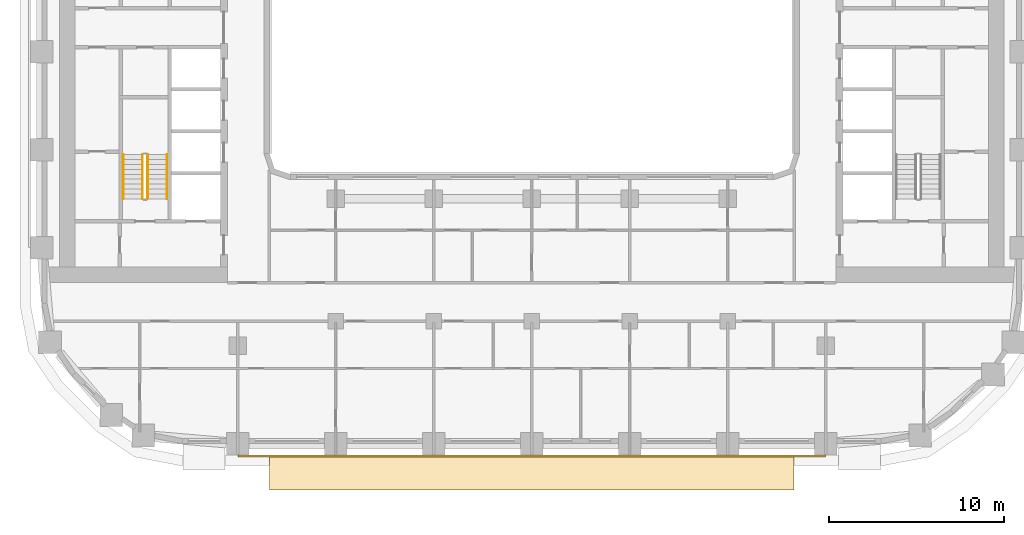
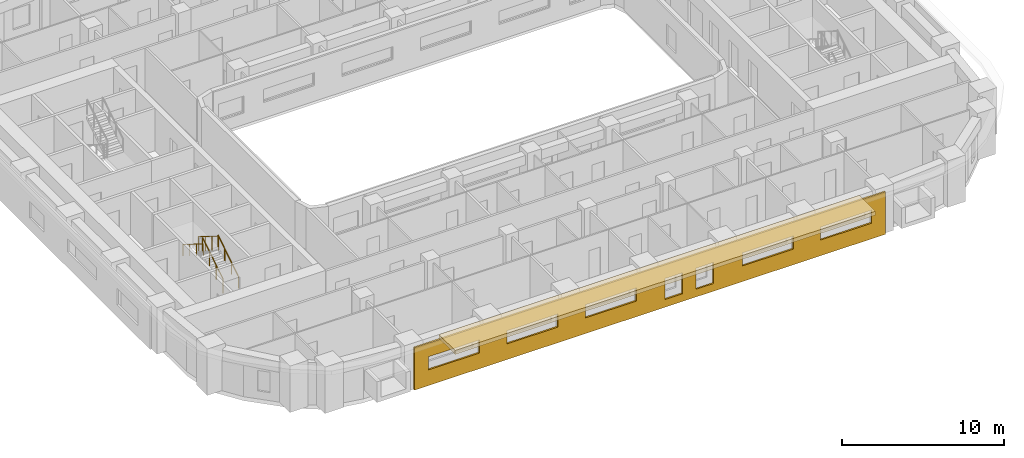
# One storey, part 12 of 22: 4 railings, 2 coverings.
"""IFC4 building model written with IfcOpenShell, lengths in metres."""

import ifcopenshell
import ifcopenshell.guid

model = None  # the IFC model being written
_history = None  # IfcOwnerHistory: only IFC2X3 demands one
_inside = {}  # id of a spatial element -> (the spatial element, [elements in it])
_under = {}  # id of a project, library or spatial element -> (it, [spatial elements below it])
_declared = {}  # id of a project -> (the project, [libraries it declares])
_typed = {}  # id of a type object -> (the type object, [elements of that type])
_made_of = {}  # id of a material, layer set ... -> (it, [elements and type objects made of it])


def new_model(schema):
    """Start an empty IFC model of exactly this schema.

    Asked for "IFC4X3", IfcOpenShell would pick the latest addendum, in which some entities
    have other attributes; the version numbers below select the first issue.
    IFC2X3 requires an IfcOwnerHistory on every rooted entity: one is made here for all.
    """
    global model, _history
    if schema == "IFC4X3":
        model = ifcopenshell.file(schema_version=(4, 3, 0, 0))
    else:
        model = ifcopenshell.file(schema=schema)
    _inside.clear()
    _under.clear()
    _declared.clear()
    _typed.clear()
    _made_of.clear()
    _history = None
    if model.schema == "IFC2X3":
        org = make("IfcOrganization", Name="unknown")
        user = make(
            "IfcPersonAndOrganization",
            ThePerson=make("IfcPerson", FamilyName="unknown"),
            TheOrganization=org,
        )
        app = make(
            "IfcApplication",
            ApplicationDeveloper=org,
            Version="unknown",
            ApplicationFullName="unknown",
            ApplicationIdentifier="unknown",
        )
        _history = make(
            "IfcOwnerHistory",
            OwningUser=user,
            OwningApplication=app,
            ChangeAction="ADDED",
            CreationDate=0,
        )
    return model


def make(cls, **values):
    """One entity of the class cls with the attributes given. An attribute that is None is left unset."""
    return model.create_entity(
        cls, **{name: value for name, value in values.items() if value is not None}
    )


def rooted(cls, **values):
    """An entity with a GlobalId (a new one), such as an element, a storey or a relation."""
    return make(cls, GlobalId=ifcopenshell.guid.new(), OwnerHistory=_history, **values)


def si_unit(unit_type, name, prefix=None):
    """IfcSIUnit, for example si_unit("LENGTHUNIT", "METRE", prefix="MILLI")."""
    return make("IfcSIUnit", UnitType=unit_type, Prefix=prefix, Name=name)


def assignment(units):
    """IfcUnitAssignment: the units of a project."""
    return None if units is None else make("IfcUnitAssignment", Units=units)


def point(xyz):
    """IfcCartesianPoint."""
    return None if xyz is None else make("IfcCartesianPoint", Coordinates=xyz)


def direction(xyz):
    """IfcDirection."""
    return None if xyz is None else make("IfcDirection", DirectionRatios=xyz)


def frame(location, z_axis=None, x_axis=None):
    """IfcAxis2Placement3D, a coordinate frame: its origin and axes. An axis left out is left unset."""
    return make(
        "IfcAxis2Placement3D",
        Location=point(location),
        Axis=direction(z_axis),
        RefDirection=direction(x_axis),
    )


def frame_2d(location, x_axis=None):
    """IfcAxis2Placement2D, a coordinate frame in the plane: its origin and x axis."""
    return make(
        "IfcAxis2Placement2D", Location=point(location), RefDirection=direction(x_axis)
    )


def origin():
    """The frame at (0, 0, 0) with its axes left unset."""
    return frame((0.0, 0.0, 0.0))


def origin_2d():
    """The frame at (0, 0) in the plane with its x axis left unset."""
    return frame_2d((0.0, 0.0))


def place(relative_to, where):
    """IfcLocalPlacement: puts the frame where relative to a parent placement (None: the world)."""
    return make(
        "IfcLocalPlacement", PlacementRelTo=relative_to, RelativePlacement=where
    )


def context(
    kind, dimensions, precision=None, world=None, true_north=None, identifier=None
):
    """IfcGeometricRepresentationContext, for example the 3D "Model" context."""
    return make(
        "IfcGeometricRepresentationContext",
        ContextIdentifier=identifier,
        ContextType=kind,
        CoordinateSpaceDimension=dimensions,
        Precision=precision,
        WorldCoordinateSystem=world,
        TrueNorth=true_north,
    )


def subcontext(parent, identifier, kind, view, scale=None):
    """IfcGeometricRepresentationSubContext, for example "Body" below "Model"."""
    return make(
        "IfcGeometricRepresentationSubContext",
        ContextIdentifier=identifier,
        ContextType=kind,
        ParentContext=parent,
        TargetScale=scale,
        TargetView=view,
    )


def project(units=None, contexts=None):
    """IfcProject with its units and contexts."""
    return rooted(
        "IfcProject",
        Name="project",
        RepresentationContexts=contexts,
        UnitsInContext=assignment(units),
    )


def spatial(cls, under=None, at=None, **own):
    """A site, building, storey or space (cls), placed at a placement, below another one or the project."""
    s = rooted(cls, ObjectPlacement=at, **own)
    if under is not None:
        _under.setdefault(under.id(), (under, []))[1].append(s)
    return s


def polyline(points):
    """IfcPolyline through the points."""
    return make("IfcPolyline", Points=[point(p) for p in points])


def profile(cls, at=None, kind="AREA", **sizes):
    """A parametric profile (cls). Its sizes go by their IFC names, for example OverallWidth=200.0."""
    return make(cls, ProfileType=kind, Position=at, **sizes)


def circle(**sizes):
    """IfcCircleProfileDef."""
    return profile("IfcCircleProfileDef", **sizes)


def outline(outer, holes=None, kind="AREA"):
    """IfcArbitraryClosedProfileDef: a profile drawn as a closed curve; with holes, ...WithVoids."""
    if holes is None:
        return make("IfcArbitraryClosedProfileDef", ProfileType=kind, OuterCurve=outer)
    return make(
        "IfcArbitraryProfileDefWithVoids",
        ProfileType=kind,
        OuterCurve=outer,
        InnerCurves=holes,
    )


def extrude(swept, where, along, depth):
    """IfcExtrudedAreaSolid: the profile swept, set in the frame where, extruded along a direction by depth."""
    return make(
        "IfcExtrudedAreaSolid",
        SweptArea=swept,
        Position=where,
        ExtrudedDirection=direction(along),
        Depth=depth,
    )


def shape(context_of_items, identifier, shape_type, items):
    """IfcShapeRepresentation: the items that make up one representation, for example the "Body"."""
    return make(
        "IfcShapeRepresentation",
        ContextOfItems=context_of_items,
        RepresentationIdentifier=identifier,
        RepresentationType=shape_type,
        Items=items,
    )


def material(Name=None, Category=None):
    """IfcMaterial."""
    return make("IfcMaterial", Name=Name, Category=Category)


def layer(
    of_material, thickness, ventilated=None, Name=None, Category=None, Priority=None
):
    """IfcMaterialLayer: one layer of a wall or slab, of a material (None: an air gap)."""
    return make(
        "IfcMaterialLayer",
        Material=of_material,
        LayerThickness=thickness,
        IsVentilated=ventilated,
        Name=Name,
        Category=Category,
        Priority=Priority,
    )


def layer_set(layers, Name=None):
    """IfcMaterialLayerSet."""
    return make("IfcMaterialLayerSet", MaterialLayers=layers, LayerSetName=Name)


def made_of(thing, what):
    """Note that an element or type object is made of a material, layer set ...; save() writes the relation."""
    if what is not None:
        _made_of.setdefault(what.id(), (what, []))[1].append(thing)
    return thing


def type_object(cls, material=None, **own):
    """A type object (cls), such as IfcWallType, which elements share."""
    return made_of(rooted(cls, **own), material)


def element(
    cls,
    number,
    at=None,
    inside=None,
    cuts=None,
    type_object=None,
    material=None,
    context=None,
    identifier="Body",
    shape_type=None,
    held_by="IfcProductDefinitionShape",
    body=None,
    shapes=None,
    **own,
):
    """One element of the class cls, such as IfcWall. Its Tag is "e" and its number.

    at: its placement. inside: the storey or other place that contains it. cuts: it is an
    opening in that element (IfcRelVoidsElement). A single representation is given by context,
    identifier, shape_type and body (its items); several are given by shapes. held_by: the class
    of the entity that holds the representations. save() writes the other relations.
    """
    e = rooted(cls, Tag="e%d" % number, ObjectPlacement=at, **own)
    if body is not None:
        shapes = [shape(context, identifier, shape_type, body)]
    if shapes is not None:
        e.Representation = make(held_by, Representations=shapes)
    if inside is not None:
        _inside.setdefault(inside.id(), (inside, []))[1].append(e)
    if cuts is not None:
        rooted(
            "IfcRelVoidsElement", RelatingBuildingElement=cuts, RelatedOpeningElement=e
        )
    if type_object is not None:
        _typed.setdefault(type_object.id(), (type_object, []))[1].append(e)
    return made_of(e, material)


def aggregate(whole, parts):
    """IfcRelAggregates: a whole, such as a stair, and the parts it consists of."""
    return rooted("IfcRelAggregates", RelatingObject=whole, RelatedObjects=parts)


def save(model, path):
    """Write the relations noted so far, then the file.

    IfcRelAggregates (storeys below a building ...), IfcRelContainedInSpatialStructure (elements
    in a storey), IfcRelDefinesByType, IfcRelAssociatesMaterial and IfcRelDeclares: one each for
    every whole, place, type object, material and project.
    """
    for whole, parts in _under.values():
        aggregate(whole, parts)
    for where, things in _inside.values():
        rooted(
            "IfcRelContainedInSpatialStructure",
            RelatedElements=things,
            RelatingStructure=where,
        )
    for kind, things in _typed.values():
        rooted("IfcRelDefinesByType", RelatedObjects=things, RelatingType=kind)
    for what, things in _made_of.values():
        rooted("IfcRelAssociatesMaterial", RelatedObjects=things, RelatingMaterial=what)
    for by, libraries in _declared.values():
        rooted("IfcRelDeclares", RelatingContext=by, RelatedDefinitions=libraries)
    model.write(path)


model = new_model("IFC4")

# Units and contexts
model_context = context("Model", 3, precision=1e-05, world=origin(), true_north=direction((0.0, 1.0)))
body_context = subcontext(model_context, "Body", "Model", "MODEL_VIEW")
ifc_project = project(units=[si_unit("LENGTHUNIT", "METRE"), si_unit("AREAUNIT", "SQUARE_METRE"), si_unit("VOLUMEUNIT", "CUBIC_METRE"), si_unit("PLANEANGLEUNIT", "RADIAN"), si_unit("MASSUNIT", "GRAM", prefix="KILO")], contexts=[model_context])

# Site, building, storey
site_placement = place(None, origin())
site = spatial("IfcSite", under=ifc_project, at=site_placement, CompositionType="ELEMENT")
building_placement = place(site_placement, origin())
building = spatial("IfcBuilding", under=site, at=building_placement, Name="Kiln Ring Residences", CompositionType="ELEMENT")
storey_placement = place(building_placement, frame((0.0, 0.0, 97.300048828125)))
storey = spatial("IfcBuildingStorey", under=building, at=storey_placement, Name="L24", CompositionType="ELEMENT", Elevation=97.300048828125)

# Railings
ifc_material_1 = material(Name="Stainless steel", Category="steel")
railing_type_1 = type_object("IfcRailingType", Name="CORE-STAIR-GUARD", PredefinedType="GUARDRAIL", material=ifc_material_1)
railing_1_placement = place(storey_placement, frame((-21.949951171875, -8.39990234375, 0.175048828125)))
element("IfcRailing", 1, at=railing_1_placement, inside=storey, type_object=railing_type_1, Name="L24 W-STS stair guard 1", PredefinedType="GUARDRAIL", context=body_context, shape_type="SweptSolid", body=[
    extrude(circle(Radius=0.02392578125, at=origin_2d()), frame((0.0, 0.0, 1.076171875), z_axis=(0.0, 0.848007534815, 0.529984170421), x_axis=(-1.0, 0.0, 0.0)), (0.0, 0.0, 1.0), 2.9716796875),
    extrude(circle(Radius=0.02099609375, at=origin_2d()), origin(), (0.0, 0.0, 1.0), 1.052001953125),
    extrude(circle(Radius=0.02099609375, at=origin_2d()), frame((0.0, 0.840087890625, 0.52490234375)), (0.0, 0.0, 1.0), 1.052001953125),
    extrude(circle(Radius=0.02099609375, at=origin_2d()), frame((0.0, 1.679931640625, 1.050048828125)), (0.0, 0.0, 1.0), 1.052001953125),
    extrude(circle(Radius=0.02099609375, at=origin_2d()), frame((0.0, 2.52001953125, 1.574951171875)), (0.0, 0.0, 1.0), 1.052001953125),
])
railing_2_placement = place(storey_placement, frame((-22.25, -5.8798828125, 1.925048828125)))
element("IfcRailing", 2, at=railing_2_placement, inside=storey, type_object=railing_type_1, Name="L24 W-STS stair guard 3", PredefinedType="GUARDRAIL", context=body_context, shape_type="SweptSolid", body=[
    extrude(circle(Radius=0.02392578125, at=origin_2d()), frame((0.0, 0.0, 1.076171875), z_axis=(0.0, -0.848007534815, 0.529984170421), x_axis=(1.0, 0.0, 0.0)), (0.0, 0.0, 1.0), 2.9716796875),
    extrude(circle(Radius=0.02099609375, at=origin_2d()), origin(), (0.0, 0.0, 1.0), 1.052001953125),
    extrude(circle(Radius=0.02099609375, at=origin_2d()), frame((0.0, -0.840087890625, 0.52490234375)), (0.0, 0.0, 1.0), 1.052001953125),
    extrude(circle(Radius=0.02099609375, at=origin_2d()), frame((0.0, -1.679931640625, 1.050048828125)), (0.0, 0.0, 1.0), 1.052001953125),
    extrude(circle(Radius=0.02099609375, at=origin_2d()), frame((0.0, -2.52001953125, 1.574951171875)), (0.0, 0.0, 1.0), 1.052001953125),
])
ifc_material_2 = material(Name="Stainless steel", Category="steel")
railing_type_2 = type_object("IfcRailingType", Name="CORE-STAIR-HANDRAIL", PredefinedType="HANDRAIL", material=ifc_material_2)
railing_3_placement = place(storey_placement, frame((-20.85009765625, -8.39990234375, 0.175048828125)))
element("IfcRailing", 3, at=railing_3_placement, inside=storey, type_object=railing_type_2, Name="L24 W-STS stair handrail 1", PredefinedType="HANDRAIL", context=body_context, shape_type="SweptSolid", body=[
    extrude(circle(Radius=0.02392578125, at=origin_2d()), frame((0.0, 0.0, 0.8759765625), z_axis=(0.0, 0.848007534815, 0.529984170421), x_axis=(-1.0, 0.0, 0.0)), (0.0, 0.0, 1.0), 2.9716796875),
    extrude(circle(Radius=0.02099609375, at=origin_2d()), origin(), (0.0, 0.0, 1.0), 0.851806640625),
    extrude(circle(Radius=0.02099609375, at=origin_2d()), frame((0.0, 0.840087890625, 0.52490234375)), (0.0, 0.0, 1.0), 0.851806640625),
    extrude(circle(Radius=0.02099609375, at=origin_2d()), frame((0.0, 1.679931640625, 1.050048828125)), (0.0, 0.0, 1.0), 0.851806640625),
    extrude(circle(Radius=0.02099609375, at=origin_2d()), frame((0.0, 2.52001953125, 1.574951171875)), (0.0, 0.0, 1.0), 0.851806640625),
])
railing_4_placement = place(storey_placement, frame((-23.35009765625, -5.8798828125, 1.925048828125)))
element("IfcRailing", 4, at=railing_4_placement, inside=storey, type_object=railing_type_2, Name="L24 W-STS stair handrail 2", PredefinedType="HANDRAIL", context=body_context, shape_type="SweptSolid", body=[
    extrude(circle(Radius=0.02392578125, at=origin_2d()), frame((0.0, 0.0, 0.8759765625), z_axis=(0.0, -0.848007534815, 0.529984170421), x_axis=(1.0, 0.0, 0.0)), (0.0, 0.0, 1.0), 2.9716796875),
    extrude(circle(Radius=0.02099609375, at=origin_2d()), origin(), (0.0, 0.0, 1.0), 0.851806640625),
    extrude(circle(Radius=0.02099609375, at=origin_2d()), frame((0.0, -0.840087890625, 0.52490234375)), (0.0, 0.0, 1.0), 0.851806640625),
    extrude(circle(Radius=0.02099609375, at=origin_2d()), frame((0.0, -1.679931640625, 1.050048828125)), (0.0, 0.0, 1.0), 0.851806640625),
    extrude(circle(Radius=0.02099609375, at=origin_2d()), frame((0.0, -2.52001953125, 1.574951171875)), (0.0, 0.0, 1.0), 0.851806640625),
])

# Coverings
ifc_material_3 = material(Name="Brick masonry, dark clay brick", Category="masonry")
ifc_layer_1 = layer(ifc_material_3, 0.1201171875)
ifc_layer_set_1 = layer_set([ifc_layer_1], Name="RAINSCREEN PANEL 120")
covering_type_1 = type_object("IfcCoveringType", Name="RAINSCREEN PANEL 120", PredefinedType="CLADDING", material=ifc_layer_set_1)
covering_1_placement = place(storey_placement, frame((-16.800048828125, -23.110107421875, 0.0), z_axis=(0.0, 0.0, 1.0), x_axis=(1.0, 0.0, 0.0)))
element("IfcCovering", 5, at=covering_1_placement, inside=storey, type_object=covering_type_1, Name="RAINSCREEN L24", PredefinedType="CLADDING", context=body_context, shape_type="SweptSolid", body=[
    extrude(outline(polyline([(0.0, 0.0), (33.60009765625, 0.0), (33.60009765625, 3.199951171875), (0.0, 3.199951171875), (0.0, 0.0)]), holes=[polyline([(19.107421875, 0.579833984375), (19.107421875, 2.169921875), (17.867431640625, 2.169921875), (17.867431640625, 0.579833984375), (19.107421875, 0.579833984375)]), polyline([(20.092529296875, 0.579833984375), (21.33251953125, 0.579833984375), (21.33251953125, 2.169921875), (20.092529296875, 2.169921875), (20.092529296875, 0.579833984375)]), polyline([(0.97998046875, 1.179931640625), (4.6201171875, 1.179931640625), (4.6201171875, 2.169921875), (0.97998046875, 2.169921875), (0.97998046875, 1.179931640625)]), polyline([(6.580078125, 1.179931640625), (10.219970703125, 1.179931640625), (10.219970703125, 2.169921875), (6.580078125, 2.169921875), (6.580078125, 1.179931640625)]), polyline([(12.179931640625, 1.179931640625), (15.820068359375, 1.179931640625), (15.820068359375, 2.169921875), (12.179931640625, 2.169921875), (12.179931640625, 1.179931640625)]), polyline([(23.3798828125, 1.179931640625), (27.02001953125, 1.179931640625), (27.02001953125, 2.169921875), (23.3798828125, 2.169921875), (23.3798828125, 1.179931640625)]), polyline([(28.97998046875, 1.179931640625), (32.6201171875, 1.179931640625), (32.6201171875, 2.169921875), (28.97998046875, 2.169921875), (28.97998046875, 1.179931640625)])]), frame((0.0, 0.06005859375, 0.0), z_axis=(0.0, -1.0, 0.0), x_axis=(1.0, 0.0, 0.0)), (0.0, 0.0, 1.0), 0.1201171875),
])
ifc_material_4 = material(Name="Black powder-coated steel", Category="steel")
ifc_layer_2 = layer(ifc_material_4, 0.300048828125)
ifc_layer_set_2 = layer_set([ifc_layer_2], Name="SUNSHADE BAND 2000")
covering_type_2 = type_object("IfcCoveringType", Name="SUNSHADE BAND 2000", PredefinedType="CLADDING", material=ifc_layer_set_2)
covering_2_placement = place(storey_placement, frame((0.0, 0.0, 3.199951171875)))
element("IfcCovering", 6, at=covering_2_placement, inside=storey, type_object=covering_type_2, Name="SUNSHADE BAND L24", PredefinedType="CLADDING", context=body_context, shape_type="SweptSolid", body=[
    extrude(outline(polyline([(-15.0, -25.050048828125), (15.0, -25.050048828125), (15.0, -23.050048828125), (-15.0, -23.050048828125), (-15.0, -25.050048828125)])), origin(), (0.0, 0.0, 1.0), 0.300048828125),
])

save(model, "model.ifc")
